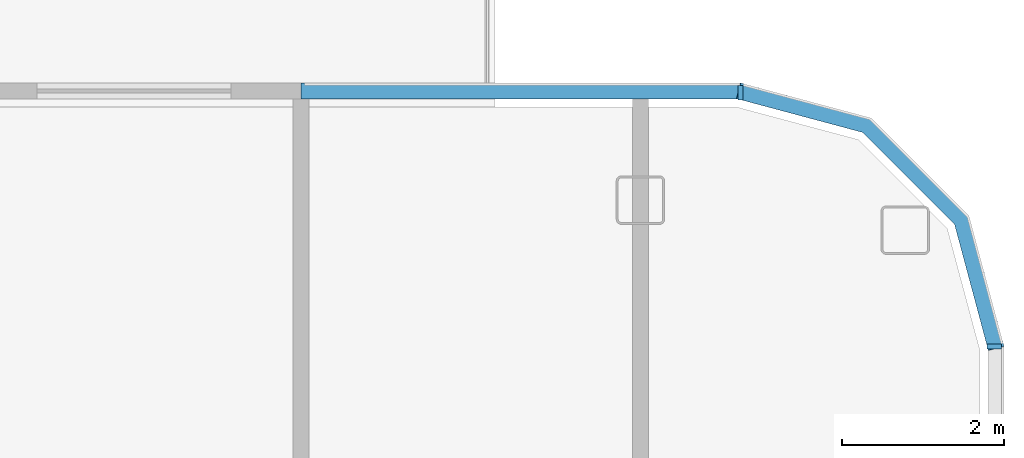
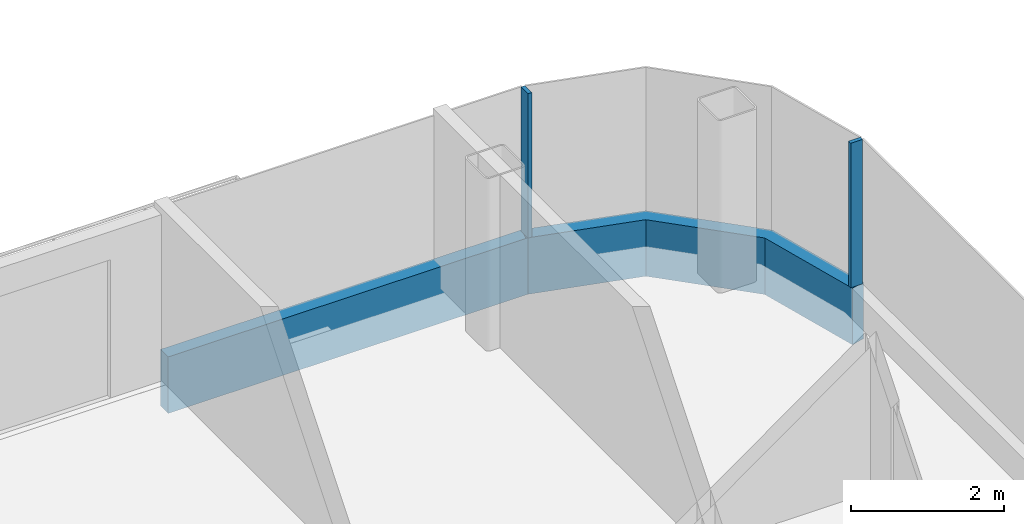
# One storey, part 8 of 28: 4 members, 3 elements without a shape of their own.
"""IFC4 building model written with IfcOpenShell, lengths in metres."""

from ifc_helpers import new_model, si_unit, direction, frame, origin, origin_2d, place, context, subcontext, project, spatial, polyline, rectangle, outline, extrude, material, layer, layer_set, material_profile, profile_set, type_object, element, aggregate, save


model = new_model("IFC4")

# Units and contexts
model_context = context("Model", 3, precision=1e-05, world=origin(), true_north=direction((0.0, 1.0)))
body_context = subcontext(model_context, "Body", "Model", "MODEL_VIEW")
ifc_project = project(units=[si_unit("LENGTHUNIT", "METRE"), si_unit("AREAUNIT", "SQUARE_METRE"), si_unit("VOLUMEUNIT", "CUBIC_METRE"), si_unit("PLANEANGLEUNIT", "RADIAN"), si_unit("MASSUNIT", "GRAM", prefix="KILO")], contexts=[model_context])

# Site, building, storey
site_placement = place(None, origin())
site = spatial("IfcSite", under=ifc_project, at=site_placement, CompositionType="ELEMENT")
building_placement = place(site_placement, origin())
building = spatial("IfcBuilding", under=site, at=building_placement, Name="Hakoniwa Tower and Hamabe Station Hall", CompositionType="ELEMENT")
storey_placement = place(building_placement, frame((0.0, 0.0, 193.0)))
storey = spatial("IfcBuildingStorey", under=building, at=storey_placement, Name="L54", CompositionType="ELEMENT", Elevation=193.0)

# Curtain wall, member
ifc_material_1 = material(Name="Dark low-e laminated glass", Category="glass")
ifc_layer = layer(ifc_material_1, 0.199951171875)
ifc_layer_set = layer_set([ifc_layer], Name="CW-1 UNITISED GUEST")
curtain_wall_type = type_object("IfcCurtainWallType", Name="CW-1 UNITISED GUEST", PredefinedType="NOTDEFINED", material=ifc_layer_set)
curtain_wall_1_placement = place(storey_placement, origin())
curtain_wall_1 = element("IfcCurtainWall", 1, at=curtain_wall_1_placement, inside=storey, type_object=curtain_wall_type, Name="CW-1 curtain wall", PredefinedType="NOTDEFINED")
ifc_material_2 = material(Name="Aluminium 6063-T5 black anodised", Category="aluminium")
ifc_material_profile_1 = material_profile(ifc_material_2, rectangle(XDim=0.199951171875, YDim=0.89990234375, at=origin_2d()), Name="CW SLAB-EDGE BAND 900X200")
ifc_profile_set_1 = profile_set([ifc_material_profile_1], Name="Aluminium 6063-T5 black anodised")
member_type_1 = type_object("IfcMemberType", Name="CW SLAB-EDGE BAND 900X200", PredefinedType="USERDEFINED", material=ifc_profile_set_1)
member_1_placement = place(storey_placement, frame((0.0, 0.0, -0.550048828125)))
member_1 = element("IfcMember", 2, at=member_1_placement, type_object=member_type_1, Name="CW-1 transom", ObjectType="TRANSOM", PredefinedType="USERDEFINED", context=body_context, shape_type="SweptSolid", body=[
    extrude(outline(polyline([(38.10009765625, 17.28955078125), (37.6669921875, 18.9052734375), (36.455322265625, 20.116943359375), (34.839599609375, 20.550048828125), (34.787841796875, 20.35693359375), (36.351806640625, 19.937744140625), (37.48779296875, 18.8017578125), (37.90673828125, 17.23779296875), (38.10009765625, 17.28955078125)])), origin(), (0.0, 0.0, 1.0), 0.900146484375),
])
aggregate(curtain_wall_1, [member_1])

curtain_wall_2_placement = place(storey_placement, origin())
curtain_wall_2 = element("IfcCurtainWall", 3, at=curtain_wall_2_placement, inside=storey, type_object=curtain_wall_type, Name="CW-1 curtain wall", PredefinedType="NOTDEFINED")
member_2_placement = place(storey_placement, frame((34.839599609375, 20.449951171875, -0.10009765625), z_axis=(-1.0, 0.0, 0.0), x_axis=(0.0, -1.0, 0.0)))
member_2 = element("IfcMember", 4, at=member_2_placement, type_object=member_type_1, Name="CW-1 transom", ObjectType="TRANSOM", PredefinedType="USERDEFINED", context=body_context, shape_type="SweptSolid", body=[
    extrude(rectangle(XDim=0.199951171875, YDim=0.89990234375, at=origin_2d()), origin(), (0.0, 0.0, 1.0), 5.439697265625),
])

curtain_wall_3_placement = place(storey_placement, origin())
curtain_wall_3 = element("IfcCurtainWall", 5, at=curtain_wall_3_placement, inside=storey, type_object=curtain_wall_type, Name="CW-1 curtain wall", PredefinedType="NOTDEFINED")
ifc_material_3 = material(Name="Aluminium 6063-T5 black anodised", Category="aluminium")
ifc_material_profile_2 = material_profile(ifc_material_3, rectangle(XDim=0.06005859375, YDim=0.179931640625, at=origin_2d()), Name="CW-1 MULLION 60X180")
ifc_profile_set_2 = profile_set([ifc_material_profile_2], Name="Aluminium 6063-T5 black anodised")
member_type_2 = type_object("IfcMemberType", Name="CW-1 MULLION 60X180", PredefinedType="MULLION", material=ifc_profile_set_2)
member_3_placement = place(storey_placement, frame((37.98193359375, 17.28955078125, 0.35009765625), z_axis=(0.0, 0.0, 1.0), x_axis=(0.0, 1.0, 0.0)))
member_3 = element("IfcMember", 6, at=member_3_placement, type_object=member_type_2, Name="CW-1 mullion", PredefinedType="MULLION", context=body_context, shape_type="SweptSolid", body=[
    extrude(rectangle(XDim=0.06005859375, YDim=0.179931640625, at=origin_2d()), origin(), (0.0, 0.0, 1.0), 2.2998046875),
])
aggregate(curtain_wall_3, [member_3])

# Member
member_4_placement = place(storey_placement, frame((34.839599609375, 20.431884765625, 0.35009765625), z_axis=(0.0, 0.0, 1.0), x_axis=(-1.0, 0.0, 0.0)))
member_4 = element("IfcMember", 7, at=member_4_placement, type_object=member_type_2, Name="CW-1 mullion", PredefinedType="MULLION", context=body_context, shape_type="SweptSolid", body=[
    extrude(rectangle(XDim=0.06005859375, YDim=0.179931640625, at=origin_2d()), origin(), (0.0, 0.0, 1.0), 2.2998046875),
])

aggregate(curtain_wall_2, [member_4, member_2])

save(model, "model.ifc")
